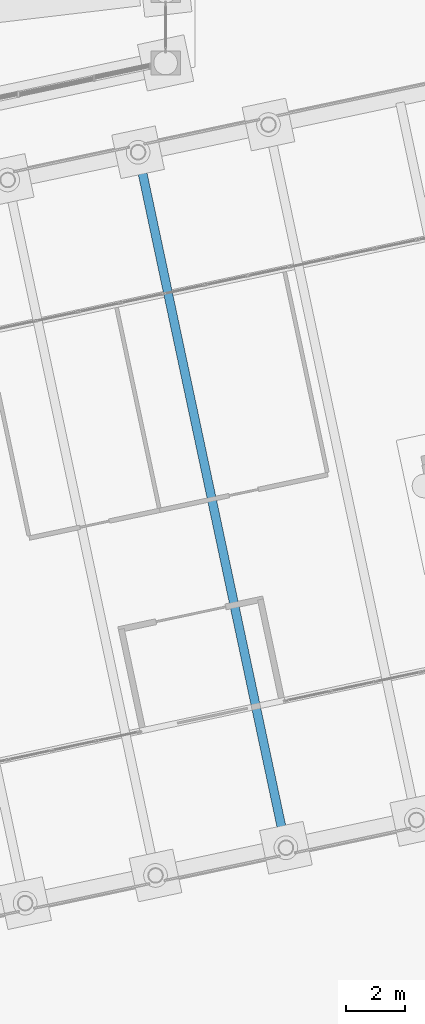
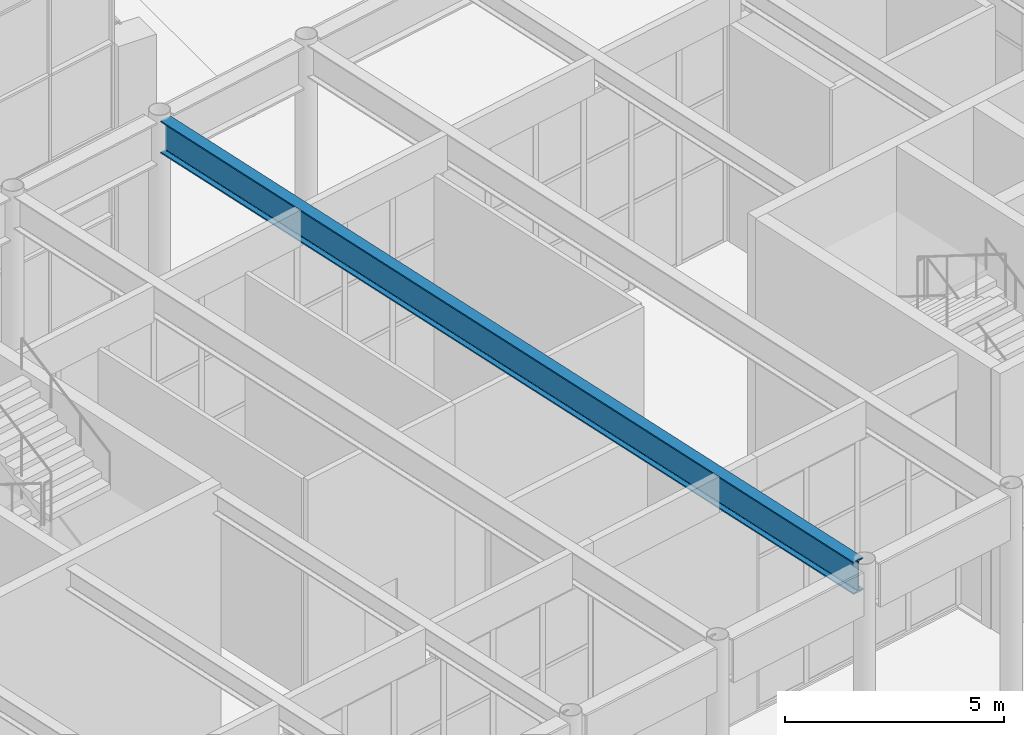
# One storey, part 107 of 239: 1 beam.
"""IFC4 building model written with IfcOpenShell, lengths in metres."""

import ifcopenshell
import ifcopenshell.guid

model = None  # the IFC model being written
_history = None  # IfcOwnerHistory: only IFC2X3 demands one
_inside = {}  # id of a spatial element -> (the spatial element, [elements in it])
_under = {}  # id of a project, library or spatial element -> (it, [spatial elements below it])
_declared = {}  # id of a project -> (the project, [libraries it declares])
_typed = {}  # id of a type object -> (the type object, [elements of that type])
_made_of = {}  # id of a material, layer set ... -> (it, [elements and type objects made of it])


def new_model(schema):
    """Start an empty IFC model of exactly this schema.

    Asked for "IFC4X3", IfcOpenShell would pick the latest addendum, in which some entities
    have other attributes; the version numbers below select the first issue.
    IFC2X3 requires an IfcOwnerHistory on every rooted entity: one is made here for all.
    """
    global model, _history
    if schema == "IFC4X3":
        model = ifcopenshell.file(schema_version=(4, 3, 0, 0))
    else:
        model = ifcopenshell.file(schema=schema)
    _inside.clear()
    _under.clear()
    _declared.clear()
    _typed.clear()
    _made_of.clear()
    _history = None
    if model.schema == "IFC2X3":
        org = make("IfcOrganization", Name="unknown")
        user = make(
            "IfcPersonAndOrganization",
            ThePerson=make("IfcPerson", FamilyName="unknown"),
            TheOrganization=org,
        )
        app = make(
            "IfcApplication",
            ApplicationDeveloper=org,
            Version="unknown",
            ApplicationFullName="unknown",
            ApplicationIdentifier="unknown",
        )
        _history = make(
            "IfcOwnerHistory",
            OwningUser=user,
            OwningApplication=app,
            ChangeAction="ADDED",
            CreationDate=0,
        )
    return model


def make(cls, **values):
    """One entity of the class cls with the attributes given. An attribute that is None is left unset."""
    return model.create_entity(
        cls, **{name: value for name, value in values.items() if value is not None}
    )


def rooted(cls, **values):
    """An entity with a GlobalId (a new one), such as an element, a storey or a relation."""
    return make(cls, GlobalId=ifcopenshell.guid.new(), OwnerHistory=_history, **values)


def si_unit(unit_type, name, prefix=None):
    """IfcSIUnit, for example si_unit("LENGTHUNIT", "METRE", prefix="MILLI")."""
    return make("IfcSIUnit", UnitType=unit_type, Prefix=prefix, Name=name)


def assignment(units):
    """IfcUnitAssignment: the units of a project."""
    return None if units is None else make("IfcUnitAssignment", Units=units)


def point(xyz):
    """IfcCartesianPoint."""
    return None if xyz is None else make("IfcCartesianPoint", Coordinates=xyz)


def direction(xyz):
    """IfcDirection."""
    return None if xyz is None else make("IfcDirection", DirectionRatios=xyz)


def frame(location, z_axis=None, x_axis=None):
    """IfcAxis2Placement3D, a coordinate frame: its origin and axes. An axis left out is left unset."""
    return make(
        "IfcAxis2Placement3D",
        Location=point(location),
        Axis=direction(z_axis),
        RefDirection=direction(x_axis),
    )


def frame_2d(location, x_axis=None):
    """IfcAxis2Placement2D, a coordinate frame in the plane: its origin and x axis."""
    return make(
        "IfcAxis2Placement2D", Location=point(location), RefDirection=direction(x_axis)
    )


def origin():
    """The frame at (0, 0, 0) with its axes left unset."""
    return frame((0.0, 0.0, 0.0))


def origin_2d():
    """The frame at (0, 0) in the plane with its x axis left unset."""
    return frame_2d((0.0, 0.0))


def place(relative_to, where):
    """IfcLocalPlacement: puts the frame where relative to a parent placement (None: the world)."""
    return make(
        "IfcLocalPlacement", PlacementRelTo=relative_to, RelativePlacement=where
    )


def context(
    kind, dimensions, precision=None, world=None, true_north=None, identifier=None
):
    """IfcGeometricRepresentationContext, for example the 3D "Model" context."""
    return make(
        "IfcGeometricRepresentationContext",
        ContextIdentifier=identifier,
        ContextType=kind,
        CoordinateSpaceDimension=dimensions,
        Precision=precision,
        WorldCoordinateSystem=world,
        TrueNorth=true_north,
    )


def subcontext(parent, identifier, kind, view, scale=None):
    """IfcGeometricRepresentationSubContext, for example "Body" below "Model"."""
    return make(
        "IfcGeometricRepresentationSubContext",
        ContextIdentifier=identifier,
        ContextType=kind,
        ParentContext=parent,
        TargetScale=scale,
        TargetView=view,
    )


def project(units=None, contexts=None):
    """IfcProject with its units and contexts."""
    return rooted(
        "IfcProject",
        Name="project",
        RepresentationContexts=contexts,
        UnitsInContext=assignment(units),
    )


def spatial(cls, under=None, at=None, **own):
    """A site, building, storey or space (cls), placed at a placement, below another one or the project."""
    s = rooted(cls, ObjectPlacement=at, **own)
    if under is not None:
        _under.setdefault(under.id(), (under, []))[1].append(s)
    return s


def profile(cls, at=None, kind="AREA", **sizes):
    """A parametric profile (cls). Its sizes go by their IFC names, for example OverallWidth=200.0."""
    return make(cls, ProfileType=kind, Position=at, **sizes)


def i_section(**sizes):
    """IfcIShapeProfileDef."""
    return profile("IfcIShapeProfileDef", **sizes)


def extrude(swept, where, along, depth):
    """IfcExtrudedAreaSolid: the profile swept, set in the frame where, extruded along a direction by depth."""
    return make(
        "IfcExtrudedAreaSolid",
        SweptArea=swept,
        Position=where,
        ExtrudedDirection=direction(along),
        Depth=depth,
    )


def shape(context_of_items, identifier, shape_type, items):
    """IfcShapeRepresentation: the items that make up one representation, for example the "Body"."""
    return make(
        "IfcShapeRepresentation",
        ContextOfItems=context_of_items,
        RepresentationIdentifier=identifier,
        RepresentationType=shape_type,
        Items=items,
    )


def material(Name=None, Category=None):
    """IfcMaterial."""
    return make("IfcMaterial", Name=Name, Category=Category)


def material_profile(
    of_material, cross_section, Name=None, Category=None, Priority=None
):
    """IfcMaterialProfile: a cross section and its material."""
    return make(
        "IfcMaterialProfile",
        Name=Name,
        Material=of_material,
        Profile=cross_section,
        Priority=Priority,
        Category=Category,
    )


def profile_set(profiles, Name=None, composite=None):
    """IfcMaterialProfileSet."""
    return make(
        "IfcMaterialProfileSet",
        Name=Name,
        MaterialProfiles=profiles,
        CompositeProfile=composite,
    )


def made_of(thing, what):
    """Note that an element or type object is made of a material, layer set ...; save() writes the relation."""
    if what is not None:
        _made_of.setdefault(what.id(), (what, []))[1].append(thing)
    return thing


def type_object(cls, material=None, **own):
    """A type object (cls), such as IfcWallType, which elements share."""
    return made_of(rooted(cls, **own), material)


def element(
    cls,
    number,
    at=None,
    inside=None,
    cuts=None,
    type_object=None,
    material=None,
    context=None,
    identifier="Body",
    shape_type=None,
    held_by="IfcProductDefinitionShape",
    body=None,
    shapes=None,
    **own,
):
    """One element of the class cls, such as IfcWall. Its Tag is "e" and its number.

    at: its placement. inside: the storey or other place that contains it. cuts: it is an
    opening in that element (IfcRelVoidsElement). A single representation is given by context,
    identifier, shape_type and body (its items); several are given by shapes. held_by: the class
    of the entity that holds the representations. save() writes the other relations.
    """
    e = rooted(cls, Tag="e%d" % number, ObjectPlacement=at, **own)
    if body is not None:
        shapes = [shape(context, identifier, shape_type, body)]
    if shapes is not None:
        e.Representation = make(held_by, Representations=shapes)
    if inside is not None:
        _inside.setdefault(inside.id(), (inside, []))[1].append(e)
    if cuts is not None:
        rooted(
            "IfcRelVoidsElement", RelatingBuildingElement=cuts, RelatedOpeningElement=e
        )
    if type_object is not None:
        _typed.setdefault(type_object.id(), (type_object, []))[1].append(e)
    return made_of(e, material)


def aggregate(whole, parts):
    """IfcRelAggregates: a whole, such as a stair, and the parts it consists of."""
    return rooted("IfcRelAggregates", RelatingObject=whole, RelatedObjects=parts)


def save(model, path):
    """Write the relations noted so far, then the file.

    IfcRelAggregates (storeys below a building ...), IfcRelContainedInSpatialStructure (elements
    in a storey), IfcRelDefinesByType, IfcRelAssociatesMaterial and IfcRelDeclares: one each for
    every whole, place, type object, material and project.
    """
    for whole, parts in _under.values():
        aggregate(whole, parts)
    for where, things in _inside.values():
        rooted(
            "IfcRelContainedInSpatialStructure",
            RelatedElements=things,
            RelatingStructure=where,
        )
    for kind, things in _typed.values():
        rooted("IfcRelDefinesByType", RelatedObjects=things, RelatingType=kind)
    for what, things in _made_of.values():
        rooted("IfcRelAssociatesMaterial", RelatedObjects=things, RelatingMaterial=what)
    for by, libraries in _declared.values():
        rooted("IfcRelDeclares", RelatingContext=by, RelatedDefinitions=libraries)
    model.write(path)


model = new_model("IFC4")

# Units and contexts
model_context = context("Model", 3, precision=1e-05, world=origin(), true_north=direction((0.0, 1.0)))
body_context = subcontext(model_context, "Body", "Model", "MODEL_VIEW")
ifc_project = project(units=[si_unit("LENGTHUNIT", "METRE"), si_unit("AREAUNIT", "SQUARE_METRE"), si_unit("VOLUMEUNIT", "CUBIC_METRE"), si_unit("PLANEANGLEUNIT", "RADIAN"), si_unit("MASSUNIT", "GRAM", prefix="KILO")], contexts=[model_context])

# Site, building, storey
site_placement = place(None, origin())
site = spatial("IfcSite", under=ifc_project, at=site_placement, CompositionType="ELEMENT")
building_placement = place(site_placement, origin())
building = spatial("IfcBuilding", under=site, at=building_placement, Name="Okhra Congress Centre", CompositionType="ELEMENT")
storey_placement = place(building_placement, origin())
storey = spatial("IfcBuildingStorey", under=building, at=storey_placement, Name="L00", CompositionType="ELEMENT", Elevation=0.0)

# Beam
ifc_material = material(Name="Steel S355J2", Category="steel")
ifc_material_profile = material_profile(ifc_material, i_section(OverallWidth=0.300048828125, OverallDepth=0.89990234375, WebThickness=0.0185546875, FlangeThickness=0.034912109375, FilletRadius=0.030029296875, at=origin_2d()), Name="HE 900 B")
ifc_profile_set = profile_set([ifc_material_profile], Name="Steel S355J2")
beam_type = type_object("IfcBeamType", Name="Floor beam HE 900 B", PredefinedType="BEAM", material=ifc_profile_set)
beam_placement = place(storey_placement, frame((193.019287109375, 55.072998046875, 6.60009765625), z_axis=(-0.20791307081, 0.978147307406, 0.0), x_axis=(-0.978147307406, -0.20791307081, 0.0)))
element("IfcBeam", 1, at=beam_placement, inside=storey, type_object=beam_type, Name="Floor beam 30.1", PredefinedType="BEAM", context=body_context, shape_type="SweptSolid", body=[
    extrude(i_section(OverallWidth=0.300048828125, OverallDepth=0.89990234375, WebThickness=0.0185546875, FlangeThickness=0.034912109375, FilletRadius=0.030029296875, at=origin_2d()), origin(), (0.0, 0.0, 1.0), 23.599853515625),
])

save(model, "model.ifc")
